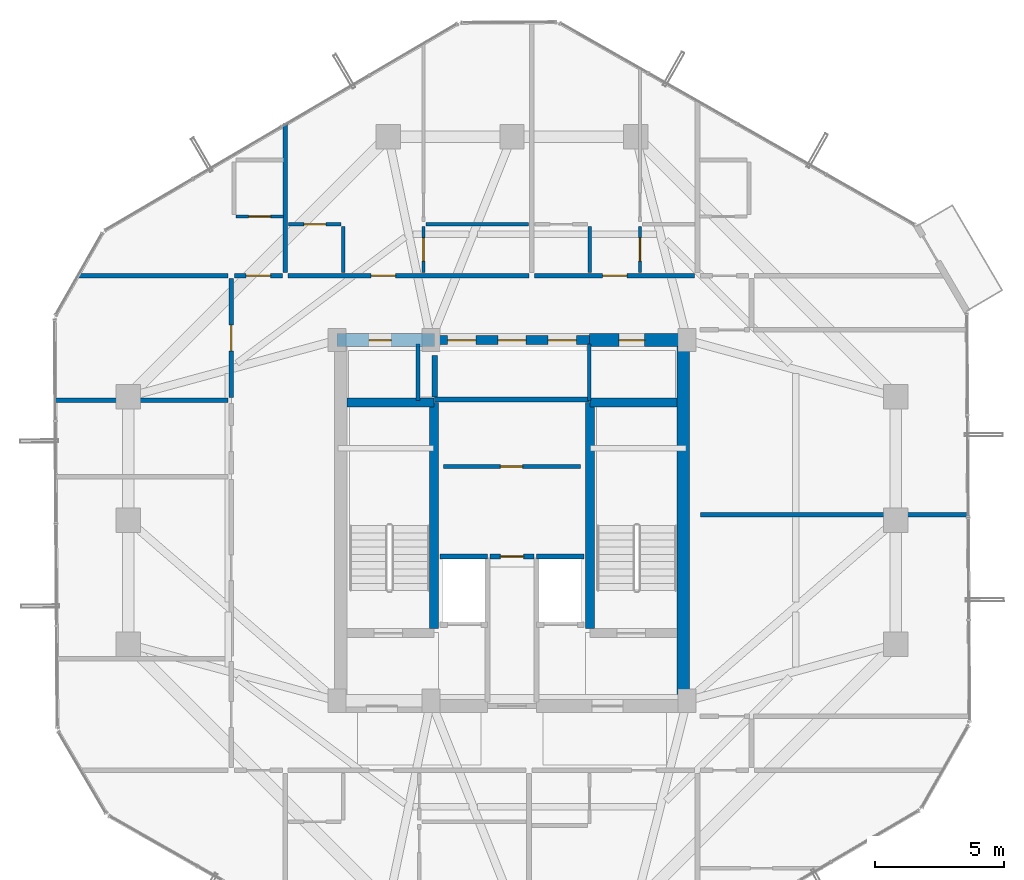
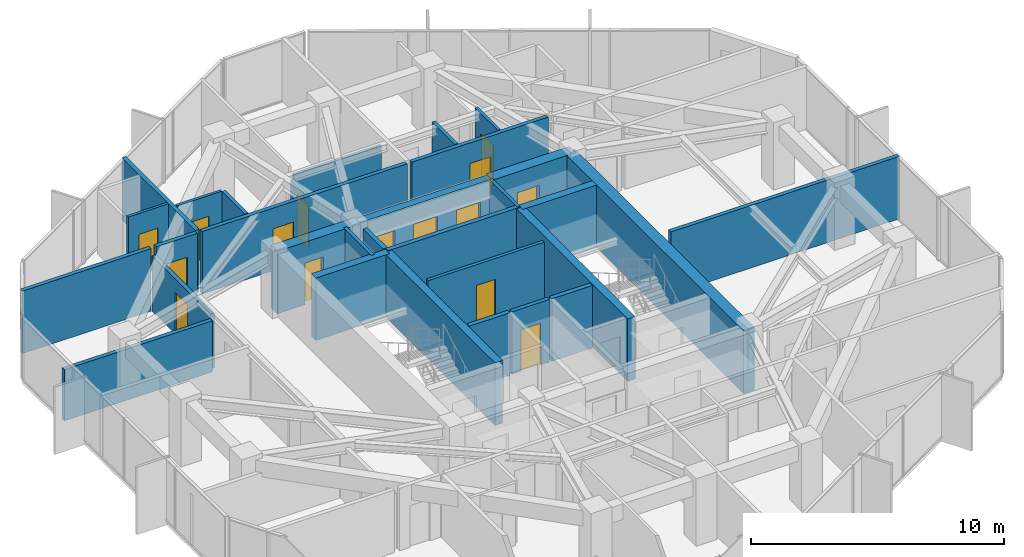
# One storey, part 28 of 31: 31 walls, 15 doors, 15 openings.
"""IFC4 building model written with IfcOpenShell, lengths in metres."""

from ifc_helpers import new_model, si_unit, direction, frame, frame_2d, origin, place, context, subcontext, project, spatial, rectangle, extrude, source, transform, mapped, material, layer, layer_set, type_object, element, fill, save


model = new_model("IFC4")

# Units and contexts
model_context = context("Model", 3, precision=1e-05, world=origin(), true_north=direction((0.0, 1.0)))
body_context = subcontext(model_context, "Body", "Model", "MODEL_VIEW")
ifc_project = project(units=[si_unit("LENGTHUNIT", "METRE"), si_unit("AREAUNIT", "SQUARE_METRE"), si_unit("VOLUMEUNIT", "CUBIC_METRE"), si_unit("PLANEANGLEUNIT", "RADIAN"), si_unit("MASSUNIT", "GRAM", prefix="KILO")], contexts=[model_context])

# Site, building, storey
site_placement = place(None, origin())
site = spatial("IfcSite", under=ifc_project, at=site_placement, CompositionType="ELEMENT")
building_placement = place(site_placement, origin())
building = spatial("IfcBuilding", under=site, at=building_placement, Name="Veraguas Prism Commons", CompositionType="ELEMENT")
storey_placement = place(building_placement, frame((0.0, 0.0, 204.85009765625)))
storey = spatial("IfcBuildingStorey", under=building, at=storey_placement, Name="L58", CompositionType="ELEMENT", Elevation=204.85009765625)

# Wall, openings, doors
ifc_material_1 = material(Name="Concrete C50/60", Category="concrete")
ifc_layer_1 = layer(ifc_material_1, 0.35009765625, Name="Core Internal Shear Wall Upper RC 350", Category="concrete")
ifc_layer_set_1 = layer_set([ifc_layer_1], Name="Concrete C50/60")
wall_type_1 = type_object("IfcWallType", Name="Core Internal Shear Wall Upper RC 350", PredefinedType="SHEAR", material=ifc_layer_set_1)
wall_1_placement = place(storey_placement, frame((21.0, 31.0, 0.0), z_axis=(0.0, 0.0, 1.0), x_axis=(1.0, 0.0, 0.0)))
wall_1 = element("IfcWall", 1, at=wall_1_placement, inside=storey, type_object=wall_type_1, Name="High-Rise Lift Bank Front Shear Wall L58", PredefinedType="SHEAR", context=body_context, shape_type="SweptSolid", body=[
    extrude(rectangle(XDim=6.0, YDim=0.35009765625, at=frame_2d((3.0, 0.0))), origin(), (0.0, 0.0, 1.0), 3.014892578125),
])
opening_1_placement = place(wall_1_placement, frame((0.5, 0.0, 0.0)))
opening_1 = element("IfcOpeningElement", 2, at=opening_1_placement, cuts=wall_1, Name="Opening LD-01", PredefinedType="OPENING", context=body_context, shape_type="SweptSolid", body=[
    extrude(rectangle(XDim=1.10009765625, YDim=2.080078125, at=frame_2d((0.550048828125, 1.0400390625))), frame((0.0, 0.18505859375, 0.0), z_axis=(0.0, -1.0, 0.0), x_axis=(1.0, 0.0, 0.0)), (0.0, 0.0, 1.0), 0.3701171875),
])
opening_2_placement = place(wall_1_placement, frame((2.449951171875, 0.0, 0.0)))
opening_2 = element("IfcOpeningElement", 3, at=opening_2_placement, cuts=wall_1, Name="Opening LD-01", PredefinedType="OPENING", context=body_context, shape_type="SweptSolid", body=[
    extrude(rectangle(XDim=1.10009765625, YDim=2.080078125, at=frame_2d((0.550048828125, 1.0400390625))), frame((0.0, 0.18505859375, 0.0), z_axis=(0.0, -1.0, 0.0), x_axis=(1.0, 0.0, 0.0)), (0.0, 0.0, 1.0), 0.3701171875),
])
opening_3_placement = place(wall_1_placement, frame((4.39990234375, 0.0, 0.0)))
opening_3 = element("IfcOpeningElement", 4, at=opening_3_placement, cuts=wall_1, Name="Opening LD-01", PredefinedType="OPENING", context=body_context, shape_type="SweptSolid", body=[
    extrude(rectangle(XDim=1.10009765625, YDim=2.080078125, at=frame_2d((0.550048828125, 1.0400390625))), frame((0.0, 0.18505859375, 0.0), z_axis=(0.0, -1.0, 0.0), x_axis=(1.0, 0.0, 0.0)), (0.0, 0.0, 1.0), 0.3701171875),
])
ifc_material_2 = material(Name="Stainless steel AISI 316", Category="steel")
door_type_1 = type_object("IfcDoorType", Name="Passenger Lift Sliding Landing Door 1100x2080", OperationType="NOTDEFINED", PredefinedType="DOOR", material=ifc_material_2)
shared_shape_1 = source(origin(), body_context, "Body", "SweptSolid", [
    extrude(rectangle(XDim=1.10009765625, YDim=2.080078125, at=frame_2d((0.550048828125, 1.0400390625))), frame((0.0, 0.02490234375, 0.0), z_axis=(0.0, -1.0, 0.0), x_axis=(1.0, 0.0, 0.0)), (0.0, 0.0, 1.0), 0.050048828125),
])
door_1_placement = place(opening_1_placement, origin())
door_1 = element("IfcDoor", 5, at=door_1_placement, inside=storey, type_object=door_type_1, Name="Sliding Landing Door PL-H1 L58", OperationType="SLIDING_TO_LEFT", OverallHeight=2.080078125, OverallWidth=1.10009765625, PredefinedType="DOOR", context=body_context, shape_type="MappedRepresentation", body=[
    mapped(shared_shape_1, transform((0.0, 0.0, 0.0), scale=1.0)),
])
fill(opening_1, door_1)
door_2_placement = place(opening_2_placement, origin())
door_2 = element("IfcDoor", 6, at=door_2_placement, inside=storey, type_object=door_type_1, Name="Sliding Landing Door PL-H2 L58", OperationType="SLIDING_TO_LEFT", OverallHeight=2.080078125, OverallWidth=1.10009765625, PredefinedType="DOOR", context=body_context, shape_type="MappedRepresentation", body=[
    mapped(shared_shape_1, transform((0.0, 0.0, 0.0), scale=1.0)),
])
fill(opening_2, door_2)
door_3_placement = place(opening_3_placement, origin())
door_3 = element("IfcDoor", 7, at=door_3_placement, inside=storey, type_object=door_type_1, Name="Sliding Landing Door PL-H3 L58", OperationType="SLIDING_TO_LEFT", OverallHeight=2.080078125, OverallWidth=1.10009765625, PredefinedType="DOOR", context=body_context, shape_type="MappedRepresentation", body=[
    mapped(shared_shape_1, transform((0.0, 0.0, 0.0), scale=1.0)),
])
fill(opening_3, door_3)

# Walls
for number, where, z_axis, x_axis, name in (
    (8, (20.97509765625, 19.800048828125, 0.0), (0.0, 0.0, 1.0), (0.0, 1.0, 0.0), "Stair ST-01 Inner Shear Wall L58"),
    (9, (27.02490234375, 19.800048828125, 0.0), (0.0, 0.0, 1.0), (0.0, 1.0, 0.0), "Stair ST-02 Inner Shear Wall L58"),
):
    element("IfcWall", number, at=place(storey_placement, frame(where, z_axis=z_axis, x_axis=x_axis)), inside=storey, type_object=wall_type_1, Name=name, PredefinedType="SHEAR", context=body_context, shape_type="SweptSolid", body=[
        extrude(rectangle(XDim=8.77490234375, YDim=0.35009765625, at=frame_2d((4.387451171875, 0.0))), origin(), (0.0, 0.0, 1.0), 3.014892578125),
    ])
for number, where, z_axis, x_axis, name in (
    (10, (17.60009765625, 28.574951171875, 0.0), (0.0, 0.0, 1.0), (1.0, 0.0, 0.0), "Stair ST-01 North Shear Wall L58"),
    (11, (27.02490234375, 28.574951171875, 0.0), (0.0, 0.0, 1.0), (1.0, 0.0, 0.0), "Stair ST-02 North Shear Wall L58"),
):
    element("IfcWall", number, at=place(storey_placement, frame(where, z_axis=z_axis, x_axis=x_axis)), inside=storey, type_object=wall_type_1, Name=name, PredefinedType="SHEAR", context=body_context, shape_type="SweptSolid", body=[
        extrude(rectangle(XDim=3.375, YDim=0.35009765625, at=frame_2d((1.6875, 0.0))), origin(), (0.0, 0.0, 1.0), 3.014892578125),
    ])
ifc_layer_2 = layer(ifc_material_1, 0.5, Name="Core Outer Shear Wall Upper RC 500", Category="concrete")
ifc_layer_set_2 = layer_set([ifc_layer_2], Name="Concrete C50/60")
wall_type_2 = type_object("IfcWallType", Name="Core Outer Shear Wall Upper RC 500", PredefinedType="SHEAR", material=ifc_layer_set_2)
wall_2_placement = place(storey_placement, frame((30.64990234375, 16.800048828125, 0.0), z_axis=(0.0, 0.0, 1.0), x_axis=(0.0, 1.0, 0.0)))
element("IfcWall", 12, at=wall_2_placement, inside=storey, type_object=wall_type_2, Name="Central Core East Shear Wall L58", PredefinedType="SHEAR", context=body_context, shape_type="SweptSolid", body=[
    extrude(rectangle(XDim=14.199951171875, YDim=0.5, at=frame_2d((7.10009765625, 0.0))), origin(), (0.0, 0.0, 1.0), 3.014892578125),
])

# Wall, opening, door
wall_3_placement = place(storey_placement, frame((17.199951171875, 31.0, 0.0), z_axis=(0.0, 0.0, 1.0), x_axis=(1.0, 0.0, 0.0)))
wall_3 = element("IfcWall", 13, at=wall_3_placement, inside=storey, type_object=wall_type_2, Name="Central Core North-West Shear Wall L58", PredefinedType="SHEAR", context=body_context, shape_type="SweptSolid", body=[
    extrude(rectangle(XDim=3.800048828125, YDim=0.5, at=frame_2d((1.89990234375, 0.0))), origin(), (0.0, 0.0, 1.0), 3.014892578125),
])
opening_4_placement = place(wall_3_placement, frame((1.25, 0.0, 0.0)))
opening_4 = element("IfcOpeningElement", 14, at=opening_4_placement, cuts=wall_3, Name="Opening DR-12", PredefinedType="OPENING", context=body_context, shape_type="SweptSolid", body=[
    extrude(rectangle(XDim=0.860107421875, YDim=2.010009765625, at=frame_2d((0.43017578125, 1.0048828125))), frame((0.0, 0.260009765625, 0.0), z_axis=(0.0, -1.0, 0.0), x_axis=(1.0, 0.0, 0.0)), (0.0, 0.0, 1.0), 0.52001953125),
])
ifc_material_3 = material(Name="Steel fire-rated door assembly", Category="steel")
door_type_2 = type_object("IfcDoorType", Name="Core WC Fire Door 860x2010", OperationType="NOTDEFINED", PredefinedType="DOOR", material=ifc_material_3)
shared_shape_2 = source(origin(), body_context, "Body", "SweptSolid", [
    extrude(rectangle(XDim=0.860107421875, YDim=2.010009765625, at=frame_2d((0.43017578125, 1.0048828125))), frame((0.0, 0.02490234375, 0.0), z_axis=(0.0, -1.0, 0.0), x_axis=(1.0, 0.0, 0.0)), (0.0, 0.0, 1.0), 0.050048828125),
])
door_4_placement = place(opening_4_placement, origin())
door_4 = element("IfcDoor", 15, at=door_4_placement, inside=storey, type_object=door_type_2, Name="Core NW Service Door L58", OperationType="SINGLE_SWING_RIGHT", OverallHeight=2.010009765625, OverallWidth=0.860107421875, PredefinedType="DOOR", context=body_context, shape_type="MappedRepresentation", body=[
    mapped(shared_shape_2, transform((0.0, 0.0, 0.0), scale=1.0)),
])
fill(opening_4, door_4)

wall_4_placement = place(storey_placement, frame((27.0, 31.0, 0.0), z_axis=(0.0, 0.0, 1.0), x_axis=(1.0, 0.0, 0.0)))
wall_4 = element("IfcWall", 16, at=wall_4_placement, inside=storey, type_object=wall_type_2, Name="Central Core North-East Shear Wall L58", PredefinedType="SHEAR", context=body_context, shape_type="SweptSolid", body=[
    extrude(rectangle(XDim=3.800048828125, YDim=0.5, at=frame_2d((1.89990234375, 0.0))), origin(), (0.0, 0.0, 1.0), 3.014892578125),
])
opening_5_placement = place(wall_4_placement, frame((1.14990234375, 0.0, 0.0)))
opening_5 = element("IfcOpeningElement", 17, at=opening_5_placement, cuts=wall_4, Name="Opening DR-13", PredefinedType="OPENING", context=body_context, shape_type="SweptSolid", body=[
    extrude(rectangle(XDim=1.0, YDim=2.010009765625, at=frame_2d((0.5, 1.0048828125))), frame((0.0, 0.260009765625, 0.0), z_axis=(0.0, -1.0, 0.0), x_axis=(1.0, 0.0, 0.0)), (0.0, 0.0, 1.0), 0.52001953125),
])
door_type_3 = type_object("IfcDoorType", Name="Core Accessible WC and Clinic Fire Door 1000x2010", OperationType="NOTDEFINED", PredefinedType="DOOR", material=ifc_material_3)
shared_shape_3 = source(origin(), body_context, "Body", "SweptSolid", [
    extrude(rectangle(XDim=1.0, YDim=2.010009765625, at=frame_2d((0.5, 1.0048828125))), frame((0.0, 0.02490234375, 0.0), z_axis=(0.0, -1.0, 0.0), x_axis=(1.0, 0.0, 0.0)), (0.0, 0.0, 1.0), 0.050048828125),
])
door_5_placement = place(opening_5_placement, origin())
door_5 = element("IfcDoor", 18, at=door_5_placement, inside=storey, type_object=door_type_3, Name="Core NE Pantry Door L58", OperationType="SINGLE_SWING_LEFT", OverallHeight=2.010009765625, OverallWidth=1.0, PredefinedType="DOOR", context=body_context, shape_type="MappedRepresentation", body=[
    mapped(shared_shape_3, transform((0.0, 0.0, 0.0), scale=1.0)),
])
fill(opening_5, door_5)

ifc_material_4 = material(Name="Autoclaved aerated masonry block 10 MPa", Category="masonry")
ifc_layer_3 = layer(ifc_material_4, 0.179931640625, Name="Corridor and Inter-Tenancy Partition 180", Category="masonry")
ifc_layer_set_3 = layer_set([ifc_layer_3], Name="Autoclaved aerated masonry block 10 MPa")
wall_type_3 = type_object("IfcWallType", Name="Corridor and Inter-Tenancy Partition 180", PredefinedType="PARTITIONING", material=ifc_layer_set_3)
wall_5_placement = place(storey_placement, frame((23.14990234375, 22.60009765625, 0.0), z_axis=(0.0, 0.0, 1.0), x_axis=(1.0, 0.0, 0.0)))
wall_5 = element("IfcWall", 19, at=wall_5_placement, inside=storey, type_object=wall_type_3, Name="Core Suite Entry Wall L58", PredefinedType="PARTITIONING", context=body_context, shape_type="SweptSolid", body=[
    extrude(rectangle(XDim=1.7001953125, YDim=0.179931640625, at=frame_2d((0.85009765625, 0.0))), origin(), (0.0, 0.0, 1.0), 3.014892578125),
])
opening_6_placement = place(wall_5_placement, frame((0.39990234375, 0.0, 0.0)))
opening_6 = element("IfcOpeningElement", 20, at=opening_6_placement, cuts=wall_5, Name="Opening DR-14", PredefinedType="OPENING", context=body_context, shape_type="SweptSolid", body=[
    extrude(rectangle(XDim=0.89990234375, YDim=2.010009765625, at=frame_2d((0.449951171875, 1.0048828125))), frame((0.0, 0.099853515625, 0.0), z_axis=(0.0, -1.0, 0.0), x_axis=(1.0, 0.0, 0.0)), (0.0, 0.0, 1.0), 0.199951171875),
])
door_type_4 = type_object("IfcDoorType", Name="Core Service Room Fire Door 900x2010", OperationType="NOTDEFINED", PredefinedType="DOOR", material=ifc_material_3)
shared_shape_4 = source(origin(), body_context, "Body", "SweptSolid", [
    extrude(rectangle(XDim=0.89990234375, YDim=2.010009765625, at=frame_2d((0.449951171875, 1.0048828125))), frame((0.0, 0.02490234375, 0.0), z_axis=(0.0, -1.0, 0.0), x_axis=(1.0, 0.0, 0.0)), (0.0, 0.0, 1.0), 0.050048828125),
])
door_6_placement = place(opening_6_placement, origin())
door_6 = element("IfcDoor", 21, at=door_6_placement, inside=storey, type_object=door_type_4, Name="Core Suite Entry Door L58", OperationType="SINGLE_SWING_RIGHT", OverallHeight=2.010009765625, OverallWidth=0.89990234375, PredefinedType="DOOR", context=body_context, shape_type="MappedRepresentation", body=[
    mapped(shared_shape_4, transform((0.0, 0.0, 0.0), scale=1.0)),
])
fill(opening_6, door_6)

# Wall
wall_6_placement = place(storey_placement, frame((15.199951171875, 33.6201171875, 0.0), z_axis=(0.0, 0.0, 1.0), x_axis=(0.0, 1.0, 0.0)))
element("IfcWall", 22, at=wall_6_placement, inside=storey, type_object=wall_type_3, Name="WL-L58-PT013", PredefinedType="PARTITIONING", context=body_context, shape_type="SweptSolid", body=[
    extrude(rectangle(XDim=5.784912109375, YDim=0.179931640625, at=frame_2d((2.892578125, 0.0))), origin(), (0.0, 0.0, 1.0), 3.014892578125),
])

# Wall, opening, door
wall_7_placement = place(storey_placement, frame((15.31005859375, 33.5, 0.0), z_axis=(0.0, 0.0, 1.0), x_axis=(1.0, 0.0, 0.0)))
wall_7 = element("IfcWall", 23, at=wall_7_placement, inside=storey, type_object=wall_type_3, Name="WL-L58-PT015", PredefinedType="PARTITIONING", context=body_context, shape_type="SweptSolid", body=[
    extrude(rectangle(XDim=9.349853515625, YDim=0.179931640625, at=frame_2d((4.6748046875, 0.0))), origin(), (0.0, 0.0, 1.0), 3.014892578125),
])
opening_7_placement = place(wall_7_placement, frame((3.219482421875, 0.0, 0.0)))
opening_7 = element("IfcOpeningElement", 24, at=opening_7_placement, cuts=wall_7, Name="Opening DR-01", PredefinedType="OPENING", context=body_context, shape_type="SweptSolid", body=[
    extrude(rectangle(XDim=0.949951171875, YDim=2.02001953125, at=frame_2d((0.47509765625, 1.010009765625))), frame((0.0, 0.099853515625, 0.0), z_axis=(0.0, -1.0, 0.0), x_axis=(1.0, 0.0, 0.0)), (0.0, 0.0, 1.0), 0.199951171875),
])
ifc_material_5 = material(Name="Anodised aluminium EN AW-6063 T6", Category="aluminium")
door_type_5 = type_object("IfcDoorType", Name="Apartment Entrance Fire Door 950x2020", OperationType="NOTDEFINED", PredefinedType="DOOR", material=ifc_material_5)
shared_shape_5 = source(origin(), body_context, "Body", "SweptSolid", [
    extrude(rectangle(XDim=0.949951171875, YDim=2.02001953125, at=frame_2d((0.47509765625, 1.010009765625))), frame((0.0, 0.02490234375, 0.0), z_axis=(0.0, -1.0, 0.0), x_axis=(1.0, 0.0, 0.0)), (0.0, 0.0, 1.0), 0.050048828125),
])
door_7_placement = place(opening_7_placement, origin())
door_7 = element("IfcDoor", 25, at=door_7_placement, inside=storey, type_object=door_type_5, Name="Flat 58C Entrance Door", OperationType="SINGLE_SWING_RIGHT", OverallHeight=2.02001953125, OverallWidth=0.949951171875, PredefinedType="DOOR", context=body_context, shape_type="MappedRepresentation", body=[
    mapped(shared_shape_5, transform((0.0, 0.0, 0.0), scale=1.0)),
])
fill(opening_7, door_7)

wall_8_placement = place(storey_placement, frame((24.8798828125, 33.5, 0.0), z_axis=(0.0, 0.0, 1.0), x_axis=(1.0, 0.0, 0.0)))
wall_8 = element("IfcWall", 26, at=wall_8_placement, inside=storey, type_object=wall_type_3, Name="WL-L58-PT022", PredefinedType="PARTITIONING", context=body_context, shape_type="SweptSolid", body=[
    extrude(rectangle(XDim=6.210205078125, YDim=0.179931640625, at=frame_2d((3.10498046875, 0.0))), origin(), (0.0, 0.0, 1.0), 3.014892578125),
])
opening_8_placement = place(wall_8_placement, frame((2.639892578125, 0.0, 0.0)))
opening_8 = element("IfcOpeningElement", 27, at=opening_8_placement, cuts=wall_8, Name="Opening DR-01", PredefinedType="OPENING", context=body_context, shape_type="SweptSolid", body=[
    extrude(rectangle(XDim=0.949951171875, YDim=2.02001953125, at=frame_2d((0.47509765625, 1.010009765625))), frame((0.0, 0.099853515625, 0.0), z_axis=(0.0, -1.0, 0.0), x_axis=(1.0, 0.0, 0.0)), (0.0, 0.0, 1.0), 0.199951171875),
])
door_8_placement = place(opening_8_placement, origin())
door_8 = element("IfcDoor", 28, at=door_8_placement, inside=storey, type_object=door_type_5, Name="Flat 58D Entrance Door", OperationType="SINGLE_SWING_RIGHT", OverallHeight=2.02001953125, OverallWidth=0.949951171875, PredefinedType="DOOR", context=body_context, shape_type="MappedRepresentation", body=[
    mapped(shared_shape_5, transform((0.0, 0.0, 0.0), scale=1.0)),
])
fill(opening_8, door_8)

# Wall
wall_9_placement = place(storey_placement, frame((12.97998046875, 33.5, 0.0), z_axis=(0.0, 0.0, 1.0), x_axis=(-1.0, 0.0, 0.0)))
element("IfcWall", 29, at=wall_9_placement, inside=storey, type_object=wall_type_3, Name="WL-L58-PT029", PredefinedType="PARTITIONING", context=body_context, shape_type="SweptSolid", body=[
    extrude(rectangle(XDim=5.8642578125, YDim=0.179931640625, at=frame_2d((2.93212890625, 0.0))), origin(), (0.0, 0.0, 1.0), 3.014892578125),
])

# Wall, opening, door
wall_10_placement = place(storey_placement, frame((13.10009765625, 28.77001953125, 0.0), z_axis=(0.0, 0.0, 1.0), x_axis=(0.0, 1.0, 0.0)))
wall_10 = element("IfcWall", 30, at=wall_10_placement, inside=storey, type_object=wall_type_3, Name="WL-L58-PT035", PredefinedType="PARTITIONING", context=body_context, shape_type="SweptSolid", body=[
    extrude(rectangle(XDim=4.619873046875, YDim=0.179931640625, at=frame_2d((2.31005859375, 0.0))), origin(), (0.0, 0.0, 1.0), 2.661865234375),
])
opening_9_placement = place(wall_10_placement, frame((1.81005859375, 0.0, 0.0)))
opening_9 = element("IfcOpeningElement", 31, at=opening_9_placement, cuts=wall_10, Name="Opening DR-13", PredefinedType="OPENING", context=body_context, shape_type="SweptSolid", body=[
    extrude(rectangle(XDim=1.0, YDim=2.010009765625, at=frame_2d((0.5, 1.0048828125))), frame((0.0, 0.099853515625, 0.0), z_axis=(0.0, -1.0, 0.0), x_axis=(1.0, 0.0, 0.0)), (0.0, 0.0, 1.0), 0.199951171875),
])
door_9_placement = place(opening_9_placement, origin())
door_9 = element("IfcDoor", 32, at=door_9_placement, inside=storey, type_object=door_type_3, Name="Co-op Store W Door", OperationType="SINGLE_SWING_LEFT", OverallHeight=2.010009765625, OverallWidth=1.0, PredefinedType="DOOR", context=body_context, shape_type="MappedRepresentation", body=[
    mapped(shared_shape_3, transform((0.0, 0.0, 0.0), scale=1.0)),
])
fill(opening_9, door_9)

# Walls
wall_11_placement = place(storey_placement, frame((12.97998046875, 28.659912109375, 0.0), z_axis=(0.0, 0.0, 1.0), x_axis=(-1.0, 0.0, 0.0)))
element("IfcWall", 33, at=wall_11_placement, inside=storey, type_object=wall_type_3, Name="WL-L58-PT036", PredefinedType="PARTITIONING", context=body_context, shape_type="SweptSolid", body=[
    extrude(rectangle(XDim=6.75146484375, YDim=0.179931640625, at=frame_2d((3.375732421875, 0.0))), origin(), (0.0, 0.0, 1.0), 2.468994140625),
])
wall_12_placement = place(storey_placement, frame((31.320068359375, 24.22509765625, 0.0), z_axis=(0.0, 0.0, 1.0), x_axis=(1.0, 0.0, 0.0)))
element("IfcWall", 34, at=wall_12_placement, inside=storey, type_object=wall_type_3, Name="WL-L58-PT037", PredefinedType="PARTITIONING", context=body_context, shape_type="SweptSolid", body=[
    extrude(rectangle(XDim=10.4189453125, YDim=0.179931640625, at=frame_2d((5.20947265625, 0.0))), origin(), (0.0, 0.0, 1.0), 3.014892578125),
])

# Wall, opening, door
wall_13_placement = place(storey_placement, frame((13.219970703125, 33.5, 0.0), z_axis=(0.0, 0.0, 1.0), x_axis=(1.0, 0.0, 0.0)))
wall_13 = element("IfcWall", 35, at=wall_13_placement, inside=storey, type_object=wall_type_3, Name="WL-L58-PT048", PredefinedType="PARTITIONING", context=body_context, shape_type="SweptSolid", body=[
    extrude(rectangle(XDim=1.860107421875, YDim=0.179931640625, at=frame_2d((0.93017578125, 0.0))), origin(), (0.0, 0.0, 1.0), 3.014892578125),
])
opening_10_placement = place(wall_13_placement, frame((0.455078125, 0.0, 0.0)))
opening_10 = element("IfcOpeningElement", 36, at=opening_10_placement, cuts=wall_13, Name="Opening DR-01", PredefinedType="OPENING", context=body_context, shape_type="SweptSolid", body=[
    extrude(rectangle(XDim=0.949951171875, YDim=2.02001953125, at=frame_2d((0.47509765625, 1.010009765625))), frame((0.0, 0.099853515625, 0.0), z_axis=(0.0, -1.0, 0.0), x_axis=(1.0, 0.0, 0.0)), (0.0, 0.0, 1.0), 0.199951171875),
])
door_10_placement = place(opening_10_placement, origin())
door_10 = element("IfcDoor", 37, at=door_10_placement, inside=storey, type_object=door_type_5, Name="Studio 58E Entrance Door", OperationType="SINGLE_SWING_LEFT", OverallHeight=2.02001953125, OverallWidth=0.949951171875, PredefinedType="DOOR", context=body_context, shape_type="MappedRepresentation", body=[
    mapped(shared_shape_5, transform((0.0, 0.0, 0.0), scale=1.0)),
])
fill(opening_10, door_10)

ifc_material_6 = material(Name="Lightweight acoustic gypsum board")
ifc_layer_4 = layer(ifc_material_6, 0.125, Name="Internal Apartment Room Partition 125")
ifc_layer_set_4 = layer_set([ifc_layer_4], Name="Lightweight acoustic gypsum board")
wall_type_4 = type_object("IfcWallType", Name="Internal Apartment Room Partition 125", PredefinedType="PARTITIONING", material=ifc_layer_set_4)
wall_14_placement = place(storey_placement, frame((15.320068359375, 35.5, 0.0), z_axis=(0.0, 0.0, 1.0), x_axis=(1.0, 0.0, 0.0)))
wall_14 = element("IfcWall", 38, at=wall_14_placement, inside=storey, type_object=wall_type_4, Name="WL-L58-PT017", PredefinedType="PARTITIONING", context=body_context, shape_type="SweptSolid", body=[
    extrude(rectangle(XDim=2.050048828125, YDim=0.125, at=frame_2d((1.02490234375, 0.0))), origin(), (0.0, 0.0, 1.0), 3.014892578125),
])
opening_11_placement = place(wall_14_placement, frame((0.594970703125, 0.0, 0.0)))
opening_11 = element("IfcOpeningElement", 39, at=opening_11_placement, cuts=wall_14, Name="Opening DR-03", PredefinedType="OPENING", context=body_context, shape_type="SweptSolid", body=[
    extrude(rectangle(XDim=0.860107421875, YDim=2.010009765625, at=frame_2d((0.43017578125, 1.0048828125))), frame((0.0, 0.072509765625, 0.0), z_axis=(0.0, -1.0, 0.0), x_axis=(1.0, 0.0, 0.0)), (0.0, 0.0, 1.0), 0.14501953125),
])
ifc_material_7 = material(Name="Timber moisture-resistant leaf", Category="wood")
door_type_6 = type_object("IfcDoorType", Name="Internal Bathroom Door 860x2010", OperationType="NOTDEFINED", PredefinedType="DOOR", material=ifc_material_7)
door_11_placement = place(opening_11_placement, origin())
door_11 = element("IfcDoor", 40, at=door_11_placement, inside=storey, type_object=door_type_6, Name="Flat 58C Bathroom Door", OperationType="SINGLE_SWING_LEFT", OverallHeight=2.010009765625, OverallWidth=0.860107421875, PredefinedType="DOOR", context=body_context, shape_type="MappedRepresentation", body=[
    mapped(shared_shape_2, transform((0.0, 0.0, 0.0), scale=1.0)),
])
fill(opening_11, door_11)

wall_15_placement = place(storey_placement, frame((20.55908203125, 33.6201171875, 0.0), z_axis=(0.0, 0.0, 1.0), x_axis=(0.0, 1.0, 0.0)))
wall_15 = element("IfcWall", 41, at=wall_15_placement, inside=storey, type_object=wall_type_4, Name="WL-L58-PT018", PredefinedType="PARTITIONING", context=body_context, shape_type="SweptSolid", body=[
    extrude(rectangle(XDim=1.7998046875, YDim=0.125, at=frame_2d((0.89990234375, 0.0))), origin(), (0.0, 0.0, 1.0), 2.468994140625),
])
opening_12_placement = place(wall_15_placement, frame((0.449951171875, 0.0, 0.0)))
opening_12 = element("IfcOpeningElement", 42, at=opening_12_placement, cuts=wall_15, Name="Opening DR-02", PredefinedType="OPENING", context=body_context, shape_type="SweptSolid", body=[
    extrude(rectangle(XDim=0.89990234375, YDim=2.010009765625, at=frame_2d((0.449951171875, 1.0048828125))), frame((0.0, 0.072509765625, 0.0), z_axis=(0.0, -1.0, 0.0), x_axis=(1.0, 0.0, 0.0)), (0.0, 0.0, 1.0), 0.14501953125),
])
ifc_material_8 = material(Name="Timber solid core hardwood", Category="wood")
door_type_7 = type_object("IfcDoorType", Name="Internal Habitable Room Door 900x2010", OperationType="NOTDEFINED", PredefinedType="DOOR", material=ifc_material_8)
door_12_placement = place(opening_12_placement, origin())
door_12 = element("IfcDoor", 43, at=door_12_placement, inside=storey, type_object=door_type_7, Name="Flat 58C Kitchen Door", OperationType="SINGLE_SWING_RIGHT", OverallHeight=2.010009765625, OverallWidth=0.89990234375, PredefinedType="DOOR", context=body_context, shape_type="MappedRepresentation", body=[
    mapped(shared_shape_4, transform((0.0, 0.0, 0.0), scale=1.0)),
])
fill(opening_12, door_12)

# Wall
wall_16_placement = place(storey_placement, frame((20.658935546875, 35.5, 0.0), z_axis=(0.0, 0.0, 1.0), x_axis=(1.0, 0.0, 0.0)))
element("IfcWall", 44, at=wall_16_placement, inside=storey, type_object=wall_type_4, Name="WL-L58-PT019", PredefinedType="PARTITIONING", context=body_context, shape_type="SweptSolid", body=[
    extrude(rectangle(XDim=3.990966796875, YDim=0.125, at=frame_2d((1.99560546875, 0.0))), origin(), (0.0, 0.0, 1.0), 2.661865234375),
])

# Wall, opening, door
wall_17_placement = place(storey_placement, frame((28.969970703125, 33.6201171875, 0.0), z_axis=(0.0, 0.0, 1.0), x_axis=(0.0, 1.0, 0.0)))
wall_17 = element("IfcWall", 45, at=wall_17_placement, inside=storey, type_object=wall_type_4, Name="WL-L58-PT025", PredefinedType="PARTITIONING", context=body_context, shape_type="SweptSolid", body=[
    extrude(rectangle(XDim=1.7998046875, YDim=0.125, at=frame_2d((0.89990234375, 0.0))), origin(), (0.0, 0.0, 1.0), 3.014892578125),
])
opening_13_placement = place(wall_17_placement, frame((0.449951171875, 0.0, 0.0)))
opening_13 = element("IfcOpeningElement", 46, at=opening_13_placement, cuts=wall_17, Name="Opening DR-02", PredefinedType="OPENING", context=body_context, shape_type="SweptSolid", body=[
    extrude(rectangle(XDim=0.89990234375, YDim=2.010009765625, at=frame_2d((0.449951171875, 1.0048828125))), frame((0.0, 0.072509765625, 0.0), z_axis=(0.0, -1.0, 0.0), x_axis=(1.0, 0.0, 0.0)), (0.0, 0.0, 1.0), 0.14501953125),
])
door_13_placement = place(opening_13_placement, origin())
door_13 = element("IfcDoor", 47, at=door_13_placement, inside=storey, type_object=door_type_7, Name="Flat 58D Kitchen Door", OperationType="SINGLE_SWING_RIGHT", OverallHeight=2.010009765625, OverallWidth=0.89990234375, PredefinedType="DOOR", context=body_context, shape_type="MappedRepresentation", body=[
    mapped(shared_shape_4, transform((0.0, 0.0, 0.0), scale=1.0)),
])
fill(opening_13, door_13)

wall_18_placement = place(storey_placement, frame((13.280029296875, 35.800048828125, 0.0), z_axis=(0.0, 0.0, 1.0), x_axis=(1.0, 0.0, 0.0)))
wall_18 = element("IfcWall", 48, at=wall_18_placement, inside=storey, type_object=wall_type_4, Name="WL-L58-PT049", PredefinedType="PARTITIONING", context=body_context, shape_type="SweptSolid", body=[
    extrude(rectangle(XDim=1.840087890625, YDim=0.125, at=frame_2d((0.919921875, 0.0))), origin(), (0.0, 0.0, 1.0), 3.014892578125),
])
opening_14_placement = place(wall_18_placement, frame((0.489990234375, 0.0, 0.0)))
opening_14 = element("IfcOpeningElement", 49, at=opening_14_placement, cuts=wall_18, Name="Opening DR-03", PredefinedType="OPENING", context=body_context, shape_type="SweptSolid", body=[
    extrude(rectangle(XDim=0.860107421875, YDim=2.010009765625, at=frame_2d((0.43017578125, 1.0048828125))), frame((0.0, 0.072509765625, 0.0), z_axis=(0.0, -1.0, 0.0), x_axis=(1.0, 0.0, 0.0)), (0.0, 0.0, 1.0), 0.14501953125),
])
door_14_placement = place(opening_14_placement, origin())
door_14 = element("IfcDoor", 50, at=door_14_placement, inside=storey, type_object=door_type_6, Name="Studio 58E Bathroom Door", OperationType="SINGLE_SWING_RIGHT", OverallHeight=2.010009765625, OverallWidth=0.860107421875, PredefinedType="DOOR", context=body_context, shape_type="MappedRepresentation", body=[
    mapped(shared_shape_2, transform((0.0, 0.0, 0.0), scale=1.0)),
])
fill(opening_14, door_14)

# Walls
ifc_layer_5 = layer(ifc_material_4, 0.199951171875, Name="Rated Shaft and Lobby Block Wall 200", Category="masonry")
ifc_layer_set_5 = layer_set([ifc_layer_5], Name="Autoclaved aerated masonry block 10 MPa")
wall_type_5 = type_object("IfcWallType", Name="Rated Shaft and Lobby Block Wall 200", PredefinedType="SOLIDWALL", material=ifc_layer_set_5)
for number, where, z_axis, x_axis, name in (
    (51, (21.199951171875, 22.60009765625, 0.0), (0.0, 0.0, 1.0), (1.0, 0.0, 0.0), "Firefighting Lift FFL-1 Rear Wall L58"),
    (52, (24.949951171875, 22.60009765625, 0.0), (0.0, 0.0, 1.0), (1.0, 0.0, 0.0), "Firefighting Lift FFL-2 Rear Wall L58"),
):
    element("IfcWall", number, at=place(storey_placement, frame(where, z_axis=z_axis, x_axis=x_axis)), inside=storey, type_object=wall_type_5, Name=name, PredefinedType="SOLIDWALL", context=body_context, shape_type="SweptSolid", body=[
        extrude(rectangle(XDim=1.85009765625, YDim=0.199951171875, at=frame_2d((0.925048828125, 0.0))), origin(), (0.0, 0.0, 1.0), 3.014892578125),
    ])
wall_19_placement = place(storey_placement, frame((21.0, 28.699951171875, 0.0), z_axis=(0.0, 0.0, 1.0), x_axis=(1.0, 0.0, 0.0)))
element("IfcWall", 53, at=wall_19_placement, inside=storey, type_object=wall_type_5, Name="High-Rise Lift Bank Rear Shaft Wall L58", PredefinedType="SOLIDWALL", context=body_context, shape_type="SweptSolid", body=[
    extrude(rectangle(XDim=6.0, YDim=0.199951171875, at=frame_2d((3.0, 0.0))), origin(), (0.0, 0.0, 1.0), 3.014892578125),
])
wall_20_placement = place(storey_placement, frame((21.0, 28.800048828125, 0.0), z_axis=(0.0, 0.0, 1.0), x_axis=(0.0, 1.0, 0.0)))
element("IfcWall", 54, at=wall_20_placement, inside=storey, type_object=wall_type_5, Name="High-Rise Lift Bank West Shaft Wall L58", PredefinedType="SOLIDWALL", context=body_context, shape_type="SweptSolid", body=[
    extrude(rectangle(XDim=1.599853515625, YDim=0.199951171875, at=frame_2d((0.7998046875, 0.0))), origin(), (0.0, 0.0, 1.0), 3.014892578125),
])
ifc_layer_6 = layer(ifc_material_6, 0.14990234375, Name="Wet Room and Clinic Acoustic Partition 150")
ifc_layer_set_6 = layer_set([ifc_layer_6], Name="Lightweight acoustic gypsum board")
wall_type_6 = type_object("IfcWallType", Name="Wet Room and Clinic Acoustic Partition 150", PredefinedType="PARTITIONING", material=ifc_layer_set_6)
for number, where, z_axis, x_axis, name in (
    (55, (20.35009765625, 28.64990234375, 0.0), (0.0, 0.0, 1.0), (0.0, 1.0, 0.0), "Core NW Service Inner Wall L58"),
    (56, (27.0, 28.64990234375, 0.0), (0.0, 0.0, 1.0), (0.0, 1.0, 0.0), "Core NE Service Inner Wall L58"),
):
    element("IfcWall", number, at=place(storey_placement, frame(where, z_axis=z_axis, x_axis=x_axis)), inside=storey, type_object=wall_type_6, Name=name, PredefinedType="PARTITIONING", context=body_context, shape_type="SweptSolid", body=[
        extrude(rectangle(XDim=2.2001953125, YDim=0.14990234375, at=frame_2d((1.10009765625, 0.0))), origin(), (0.0, 0.0, 1.0), 3.014892578125),
    ])

# Wall, opening, door
wall_21_placement = place(storey_placement, frame((21.35009765625, 26.10009765625, 0.0), z_axis=(0.0, 0.0, 1.0), x_axis=(1.0, 0.0, 0.0)))
wall_21 = element("IfcWall", 57, at=wall_21_placement, inside=storey, type_object=wall_type_6, Name="WL-L58-FRWHM", PredefinedType="PARTITIONING", context=body_context, shape_type="SweptSolid", body=[
    extrude(rectangle(XDim=5.2998046875, YDim=0.14990234375, at=frame_2d((2.64990234375, 0.0))), origin(), (0.0, 0.0, 1.0), 3.014892578125),
])
opening_15_placement = place(wall_21_placement, frame((2.199951171875, 0.0, 0.0)))
opening_15 = element("IfcOpeningElement", 58, at=opening_15_placement, cuts=wall_21, Name="Opening DR-12", PredefinedType="OPENING", context=body_context, shape_type="SweptSolid", body=[
    extrude(rectangle(XDim=0.860107421875, YDim=2.010009765625, at=frame_2d((0.43017578125, 1.0048828125))), frame((0.0, 0.0849609375, 0.0), z_axis=(0.0, -1.0, 0.0), x_axis=(1.0, 0.0, 0.0)), (0.0, 0.0, 1.0), 0.169921875),
])
door_15_placement = place(opening_15_placement, origin())
door_15 = element("IfcDoor", 59, at=door_15_placement, inside=storey, type_object=door_type_2, Name="Archive Store Door L58", OperationType="SINGLE_SWING_LEFT", OverallHeight=2.010009765625, OverallWidth=0.860107421875, PredefinedType="DOOR", context=body_context, shape_type="MappedRepresentation", body=[
    mapped(shared_shape_2, transform((0.0, 0.0, 0.0), scale=1.0)),
])
fill(opening_15, door_15)

# Walls
for number, where, z_axis, x_axis, name in (
    (60, (17.449951171875, 33.6201171875, 0.0), (0.0, 0.0, 1.0), (0.0, 1.0, 0.0), "WL-L58-PT016"),
    (61, (27.02001953125, 33.6201171875, 0.0), (0.0, 0.0, 1.0), (0.0, 1.0, 0.0), "WL-L58-PT023"),
):
    element("IfcWall", number, at=place(storey_placement, frame(where, z_axis=z_axis, x_axis=x_axis)), inside=storey, type_object=wall_type_6, Name=name, PredefinedType="PARTITIONING", context=body_context, shape_type="SweptSolid", body=[
        extrude(rectangle(XDim=1.7998046875, YDim=0.14990234375, at=frame_2d((0.89990234375, 0.0))), origin(), (0.0, 0.0, 1.0), 3.014892578125),
    ])

save(model, "model.ifc")
